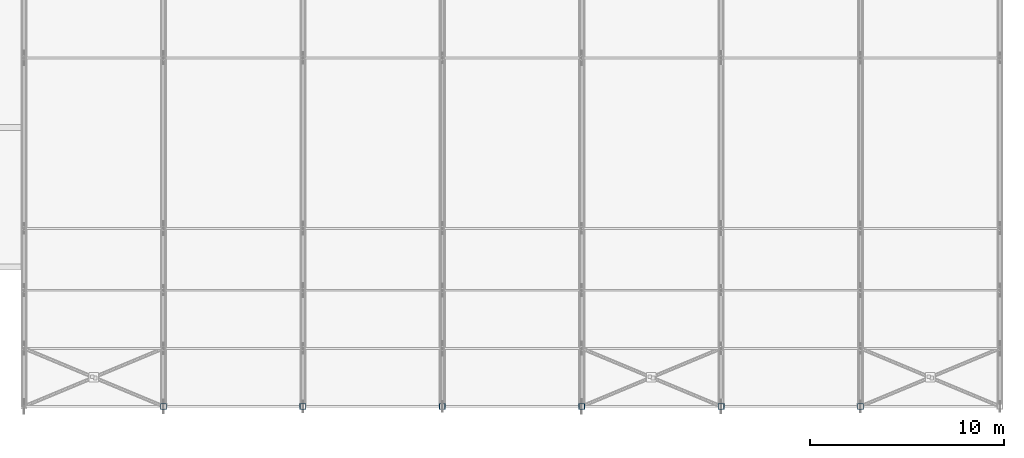
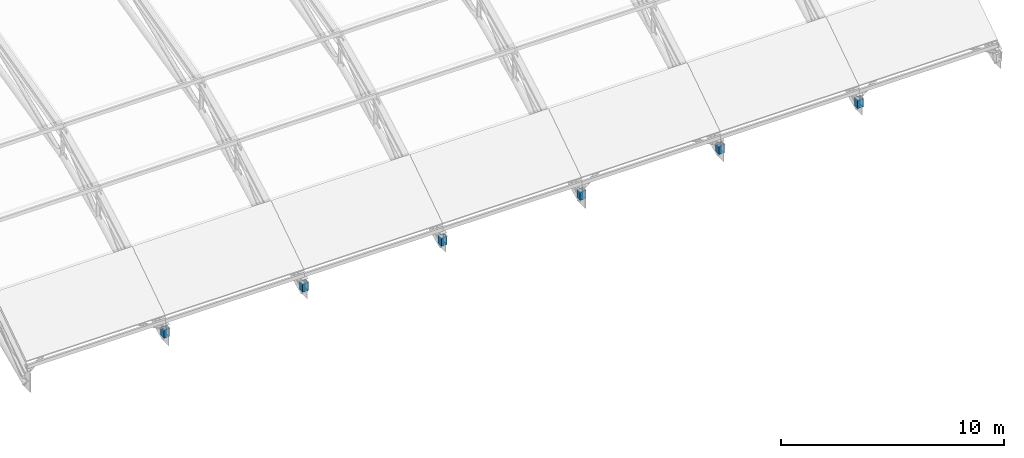
# One storey, part 3 of 63: 6 columns.
"""IFC4 building model written with IfcOpenShell, lengths in metres."""

from ifc_helpers import new_model, si_unit, direction, frame, origin, origin_2d, place, context, subcontext, project, spatial, hollow_rectangle, extrude, material, material_profile, profile_set, type_object, element, save


model = new_model("IFC4")

# Units and contexts
model_context = context("Model", 3, precision=1e-05, world=origin(), true_north=direction((0.0, 1.0)))
body_context = subcontext(model_context, "Body", "Model", "MODEL_VIEW")
ifc_project = project(units=[si_unit("LENGTHUNIT", "METRE"), si_unit("AREAUNIT", "SQUARE_METRE"), si_unit("VOLUMEUNIT", "CUBIC_METRE"), si_unit("PLANEANGLEUNIT", "RADIAN"), si_unit("MASSUNIT", "GRAM", prefix="KILO")], contexts=[model_context])

# Site, building, storey
site_placement = place(None, origin())
site = spatial("IfcSite", under=ifc_project, at=site_placement, CompositionType="ELEMENT")
building_placement = place(site_placement, origin())
building = spatial("IfcBuilding", under=site, at=building_placement, Name="Solvadek Multi-Sports Hall", CompositionType="ELEMENT")
storey_placement = place(building_placement, frame((0.0, 0.0, 19.199951171875)))
storey = spatial("IfcBuildingStorey", under=building, at=storey_placement, Name="RF", CompositionType="ELEMENT", Elevation=19.199951171875)

# Columns
ifc_material = material(Name="Steel E350 (350 MPa)", Category="steel")
ifc_material_profile = material_profile(ifc_material, hollow_rectangle(XDim=0.300048828125, YDim=0.300048828125, WallThickness=0.012451171875, at=origin_2d()), Name="SHS 300x300x12.5")
ifc_profile_set = profile_set([ifc_material_profile], Name="Steel E350 (350 MPa)")
column_type = type_object("IfcColumnType", Name="STR-COL-SHS300", PredefinedType="COLUMN", material=ifc_profile_set)
for number, where, z_axis, x_axis, name in (
    (1, (93.60009765625, 6.0, -4.0), (0.0, 0.0, 1.0), (1.0, 0.0, 0.0), "v1 Truss 2 Bearing Post"),
    (2, (100.800048828125, 6.0, -4.0), (0.0, 0.0, 1.0), (1.0, 0.0, 0.0), "v1 Truss 3 Bearing Post"),
    (3, (108.0, 6.0, -4.0), (0.0, 0.0, 1.0), (1.0, 0.0, 0.0), "v1 Truss 4 Bearing Post"),
    (4, (115.199951171875, 6.0, -4.0), (0.0, 0.0, 1.0), (1.0, 0.0, 0.0), "v1 Truss 5 Bearing Post"),
    (5, (122.39990234375, 6.0, -4.0), (0.0, 0.0, 1.0), (1.0, 0.0, 0.0), "v1 Truss 6 Bearing Post"),
    (6, (129.60009765625, 6.0, -4.0), (0.0, 0.0, 1.0), (1.0, 0.0, 0.0), "v1 Truss 7 Bearing Post"),
):
    element("IfcColumn", number, at=place(storey_placement, frame(where, z_axis=z_axis, x_axis=x_axis)), inside=storey, type_object=column_type, Name=name, PredefinedType="COLUMN", context=body_context, shape_type="SweptSolid", body=[
        extrude(hollow_rectangle(XDim=0.300048828125, YDim=0.300048828125, WallThickness=0.012451171875, at=origin_2d()), origin(), (0.0, 0.0, 1.0), 0.449951171875),
    ])

save(model, "model.ifc")
